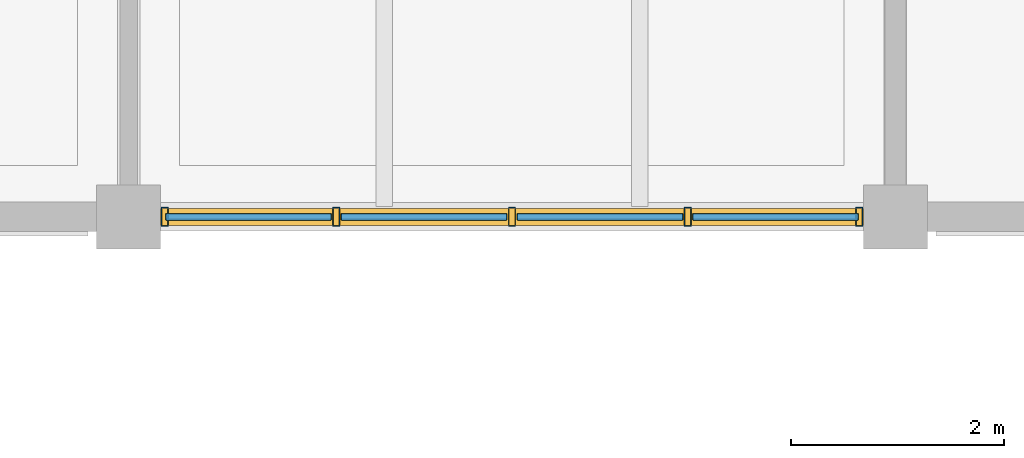
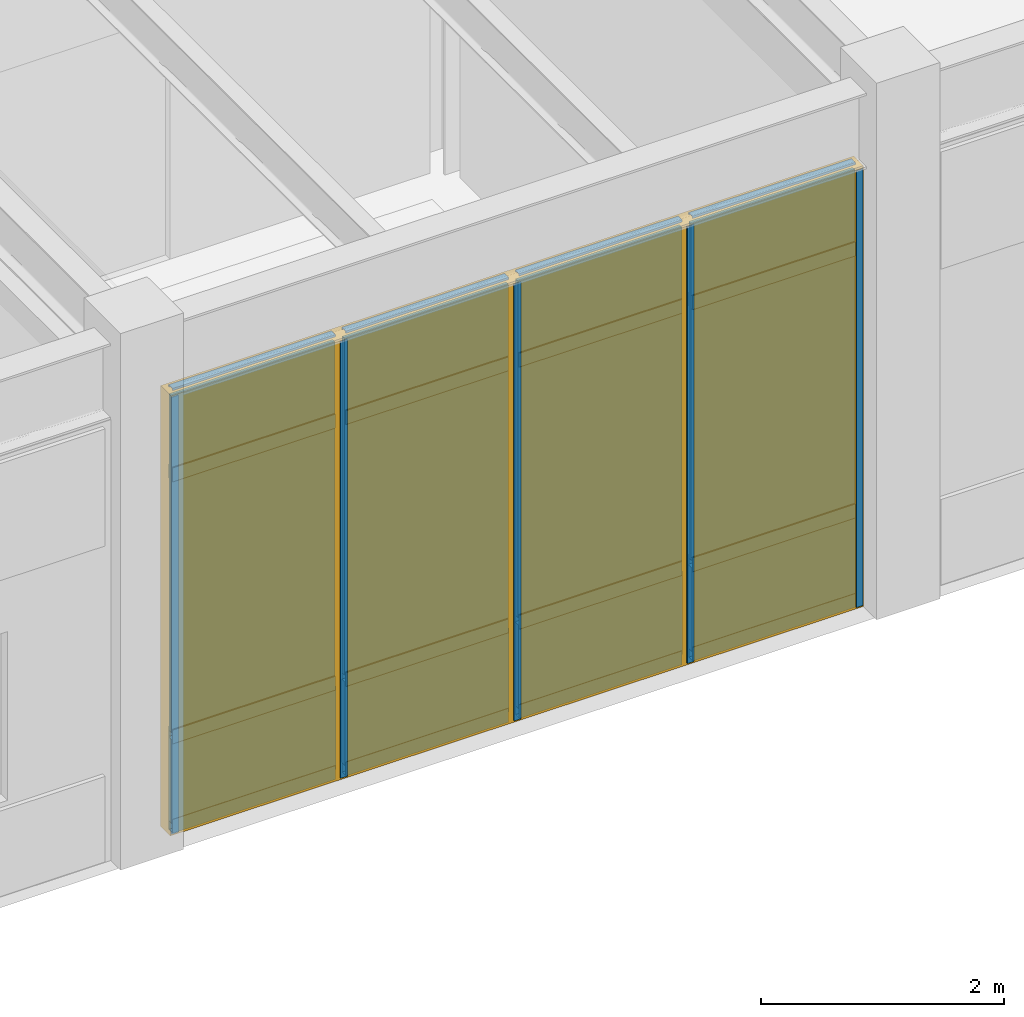
# One storey, part 70 of 97: 21 members, 8 plates, 1 curtain wall.
"""IFC4 building model written with IfcOpenShell, lengths in metres."""

import ifcopenshell
import ifcopenshell.guid

model = None  # the IFC model being written
_history = None  # IfcOwnerHistory: only IFC2X3 demands one
_inside = {}  # id of a spatial element -> (the spatial element, [elements in it])
_under = {}  # id of a project, library or spatial element -> (it, [spatial elements below it])
_declared = {}  # id of a project -> (the project, [libraries it declares])
_typed = {}  # id of a type object -> (the type object, [elements of that type])
_made_of = {}  # id of a material, layer set ... -> (it, [elements and type objects made of it])


def new_model(schema):
    """Start an empty IFC model of exactly this schema.

    Asked for "IFC4X3", IfcOpenShell would pick the latest addendum, in which some entities
    have other attributes; the version numbers below select the first issue.
    IFC2X3 requires an IfcOwnerHistory on every rooted entity: one is made here for all.
    """
    global model, _history
    if schema == "IFC4X3":
        model = ifcopenshell.file(schema_version=(4, 3, 0, 0))
    else:
        model = ifcopenshell.file(schema=schema)
    _inside.clear()
    _under.clear()
    _declared.clear()
    _typed.clear()
    _made_of.clear()
    _history = None
    if model.schema == "IFC2X3":
        org = make("IfcOrganization", Name="unknown")
        user = make(
            "IfcPersonAndOrganization",
            ThePerson=make("IfcPerson", FamilyName="unknown"),
            TheOrganization=org,
        )
        app = make(
            "IfcApplication",
            ApplicationDeveloper=org,
            Version="unknown",
            ApplicationFullName="unknown",
            ApplicationIdentifier="unknown",
        )
        _history = make(
            "IfcOwnerHistory",
            OwningUser=user,
            OwningApplication=app,
            ChangeAction="ADDED",
            CreationDate=0,
        )
    return model


def make(cls, **values):
    """One entity of the class cls with the attributes given. An attribute that is None is left unset."""
    return model.create_entity(
        cls, **{name: value for name, value in values.items() if value is not None}
    )


def rooted(cls, **values):
    """An entity with a GlobalId (a new one), such as an element, a storey or a relation."""
    return make(cls, GlobalId=ifcopenshell.guid.new(), OwnerHistory=_history, **values)


def si_unit(unit_type, name, prefix=None):
    """IfcSIUnit, for example si_unit("LENGTHUNIT", "METRE", prefix="MILLI")."""
    return make("IfcSIUnit", UnitType=unit_type, Prefix=prefix, Name=name)


def assignment(units):
    """IfcUnitAssignment: the units of a project."""
    return None if units is None else make("IfcUnitAssignment", Units=units)


def point(xyz):
    """IfcCartesianPoint."""
    return None if xyz is None else make("IfcCartesianPoint", Coordinates=xyz)


def direction(xyz):
    """IfcDirection."""
    return None if xyz is None else make("IfcDirection", DirectionRatios=xyz)


def frame(location, z_axis=None, x_axis=None):
    """IfcAxis2Placement3D, a coordinate frame: its origin and axes. An axis left out is left unset."""
    return make(
        "IfcAxis2Placement3D",
        Location=point(location),
        Axis=direction(z_axis),
        RefDirection=direction(x_axis),
    )


def frame_2d(location, x_axis=None):
    """IfcAxis2Placement2D, a coordinate frame in the plane: its origin and x axis."""
    return make(
        "IfcAxis2Placement2D", Location=point(location), RefDirection=direction(x_axis)
    )


def origin():
    """The frame at (0, 0, 0) with its axes left unset."""
    return frame((0.0, 0.0, 0.0))


def origin_2d():
    """The frame at (0, 0) in the plane with its x axis left unset."""
    return frame_2d((0.0, 0.0))


def place(relative_to, where):
    """IfcLocalPlacement: puts the frame where relative to a parent placement (None: the world)."""
    return make(
        "IfcLocalPlacement", PlacementRelTo=relative_to, RelativePlacement=where
    )


def context(
    kind, dimensions, precision=None, world=None, true_north=None, identifier=None
):
    """IfcGeometricRepresentationContext, for example the 3D "Model" context."""
    return make(
        "IfcGeometricRepresentationContext",
        ContextIdentifier=identifier,
        ContextType=kind,
        CoordinateSpaceDimension=dimensions,
        Precision=precision,
        WorldCoordinateSystem=world,
        TrueNorth=true_north,
    )


def subcontext(parent, identifier, kind, view, scale=None):
    """IfcGeometricRepresentationSubContext, for example "Body" below "Model"."""
    return make(
        "IfcGeometricRepresentationSubContext",
        ContextIdentifier=identifier,
        ContextType=kind,
        ParentContext=parent,
        TargetScale=scale,
        TargetView=view,
    )


def project(units=None, contexts=None):
    """IfcProject with its units and contexts."""
    return rooted(
        "IfcProject",
        Name="project",
        RepresentationContexts=contexts,
        UnitsInContext=assignment(units),
    )


def spatial(cls, under=None, at=None, **own):
    """A site, building, storey or space (cls), placed at a placement, below another one or the project."""
    s = rooted(cls, ObjectPlacement=at, **own)
    if under is not None:
        _under.setdefault(under.id(), (under, []))[1].append(s)
    return s


def profile(cls, at=None, kind="AREA", **sizes):
    """A parametric profile (cls). Its sizes go by their IFC names, for example OverallWidth=200.0."""
    return make(cls, ProfileType=kind, Position=at, **sizes)


def rectangle(**sizes):
    """IfcRectangleProfileDef."""
    return profile("IfcRectangleProfileDef", **sizes)


def hollow_rectangle(**sizes):
    """IfcRectangleHollowProfileDef."""
    return profile("IfcRectangleHollowProfileDef", **sizes)


def extrude(swept, where, along, depth):
    """IfcExtrudedAreaSolid: the profile swept, set in the frame where, extruded along a direction by depth."""
    return make(
        "IfcExtrudedAreaSolid",
        SweptArea=swept,
        Position=where,
        ExtrudedDirection=direction(along),
        Depth=depth,
    )


def shape(context_of_items, identifier, shape_type, items):
    """IfcShapeRepresentation: the items that make up one representation, for example the "Body"."""
    return make(
        "IfcShapeRepresentation",
        ContextOfItems=context_of_items,
        RepresentationIdentifier=identifier,
        RepresentationType=shape_type,
        Items=items,
    )


def material(Name=None, Category=None):
    """IfcMaterial."""
    return make("IfcMaterial", Name=Name, Category=Category)


def layer(
    of_material, thickness, ventilated=None, Name=None, Category=None, Priority=None
):
    """IfcMaterialLayer: one layer of a wall or slab, of a material (None: an air gap)."""
    return make(
        "IfcMaterialLayer",
        Material=of_material,
        LayerThickness=thickness,
        IsVentilated=ventilated,
        Name=Name,
        Category=Category,
        Priority=Priority,
    )


def layer_set(layers, Name=None):
    """IfcMaterialLayerSet."""
    return make("IfcMaterialLayerSet", MaterialLayers=layers, LayerSetName=Name)


def material_profile(
    of_material, cross_section, Name=None, Category=None, Priority=None
):
    """IfcMaterialProfile: a cross section and its material."""
    return make(
        "IfcMaterialProfile",
        Name=Name,
        Material=of_material,
        Profile=cross_section,
        Priority=Priority,
        Category=Category,
    )


def profile_set(profiles, Name=None, composite=None):
    """IfcMaterialProfileSet."""
    return make(
        "IfcMaterialProfileSet",
        Name=Name,
        MaterialProfiles=profiles,
        CompositeProfile=composite,
    )


def made_of(thing, what):
    """Note that an element or type object is made of a material, layer set ...; save() writes the relation."""
    if what is not None:
        _made_of.setdefault(what.id(), (what, []))[1].append(thing)
    return thing


def type_object(cls, material=None, **own):
    """A type object (cls), such as IfcWallType, which elements share."""
    return made_of(rooted(cls, **own), material)


def element(
    cls,
    number,
    at=None,
    inside=None,
    cuts=None,
    type_object=None,
    material=None,
    context=None,
    identifier="Body",
    shape_type=None,
    held_by="IfcProductDefinitionShape",
    body=None,
    shapes=None,
    **own,
):
    """One element of the class cls, such as IfcWall. Its Tag is "e" and its number.

    at: its placement. inside: the storey or other place that contains it. cuts: it is an
    opening in that element (IfcRelVoidsElement). A single representation is given by context,
    identifier, shape_type and body (its items); several are given by shapes. held_by: the class
    of the entity that holds the representations. save() writes the other relations.
    """
    e = rooted(cls, Tag="e%d" % number, ObjectPlacement=at, **own)
    if body is not None:
        shapes = [shape(context, identifier, shape_type, body)]
    if shapes is not None:
        e.Representation = make(held_by, Representations=shapes)
    if inside is not None:
        _inside.setdefault(inside.id(), (inside, []))[1].append(e)
    if cuts is not None:
        rooted(
            "IfcRelVoidsElement", RelatingBuildingElement=cuts, RelatedOpeningElement=e
        )
    if type_object is not None:
        _typed.setdefault(type_object.id(), (type_object, []))[1].append(e)
    return made_of(e, material)


def aggregate(whole, parts):
    """IfcRelAggregates: a whole, such as a stair, and the parts it consists of."""
    return rooted("IfcRelAggregates", RelatingObject=whole, RelatedObjects=parts)


def save(model, path):
    """Write the relations noted so far, then the file.

    IfcRelAggregates (storeys below a building ...), IfcRelContainedInSpatialStructure (elements
    in a storey), IfcRelDefinesByType, IfcRelAssociatesMaterial and IfcRelDeclares: one each for
    every whole, place, type object, material and project.
    """
    for whole, parts in _under.values():
        aggregate(whole, parts)
    for where, things in _inside.values():
        rooted(
            "IfcRelContainedInSpatialStructure",
            RelatedElements=things,
            RelatingStructure=where,
        )
    for kind, things in _typed.values():
        rooted("IfcRelDefinesByType", RelatedObjects=things, RelatingType=kind)
    for what, things in _made_of.values():
        rooted("IfcRelAssociatesMaterial", RelatedObjects=things, RelatingMaterial=what)
    for by, libraries in _declared.values():
        rooted("IfcRelDeclares", RelatingContext=by, RelatedDefinitions=libraries)
    model.write(path)


model = new_model("IFC4")

# Units and contexts
model_context = context("Model", 3, precision=1e-05, world=origin(), true_north=direction((0.0, 1.0)))
body_context = subcontext(model_context, "Body", "Model", "MODEL_VIEW")
ifc_project = project(units=[si_unit("LENGTHUNIT", "METRE"), si_unit("AREAUNIT", "SQUARE_METRE"), si_unit("VOLUMEUNIT", "CUBIC_METRE"), si_unit("PLANEANGLEUNIT", "RADIAN"), si_unit("MASSUNIT", "GRAM", prefix="KILO")], contexts=[model_context])

# Member
ifc_material_1 = material(Name="Anodized Aluminium 6063-T6", Category="aluminium")
ifc_material_profile_1 = material_profile(ifc_material_1, hollow_rectangle(XDim=0.06494140625, YDim=0.179931640625, WallThickness=0.00390625, at=origin_2d()), Name="ALU 65x180x4")
ifc_profile_set_1 = profile_set([ifc_material_profile_1], Name="Anodized Aluminium 6063-T6")
member_type_1 = type_object("IfcMemberType", Name="CWM-65X150", PredefinedType="MULLION", material=ifc_profile_set_1)
site_placement = place(None, origin())
building_placement = place(site_placement, origin())
storey_placement = place(building_placement, origin())
member_1_placement = place(storey_placement, frame((114.860107421875, 79.199951171875, 0.02001953125), z_axis=(0.0, 0.0, 1.0), x_axis=(1.0, 0.0, 0.0)))
member_1 = element("IfcMember", 1, at=member_1_placement, type_object=member_type_1, Name="Curtain wall mullion CW-L01-15-11-S-00", PredefinedType="MULLION", context=body_context, shape_type="SweptSolid", body=[
    extrude(hollow_rectangle(XDim=0.06494140625, YDim=0.179931640625, WallThickness=0.00390625, at=origin_2d()), origin(), (0.0, 0.0, 1.0), 4.39794921875),
])

member_2_placement = place(storey_placement, frame((113.25, 79.199951171875, 0.02001953125), z_axis=(0.0, 0.0, 1.0), x_axis=(1.0, 0.0, 0.0)))
member_2 = element("IfcMember", 2, at=member_2_placement, type_object=member_type_1, Name="Curtain wall mullion CW-L01-15-11-S-01", PredefinedType="MULLION", context=body_context, shape_type="SweptSolid", body=[
    extrude(hollow_rectangle(XDim=0.06494140625, YDim=0.179931640625, WallThickness=0.00390625, at=origin_2d()), origin(), (0.0, 0.0, 1.0), 4.39794921875),
])

member_3_placement = place(storey_placement, frame((111.60009765625, 79.199951171875, 0.02001953125), z_axis=(0.0, 0.0, 1.0), x_axis=(1.0, 0.0, 0.0)))
member_3 = element("IfcMember", 3, at=member_3_placement, type_object=member_type_1, Name="Curtain wall mullion CW-L01-15-11-S-02", PredefinedType="MULLION", context=body_context, shape_type="SweptSolid", body=[
    extrude(hollow_rectangle(XDim=0.06494140625, YDim=0.179931640625, WallThickness=0.00390625, at=origin_2d()), origin(), (0.0, 0.0, 1.0), 4.39794921875),
])

member_4_placement = place(storey_placement, frame((109.949951171875, 79.199951171875, 0.02001953125), z_axis=(0.0, 0.0, 1.0), x_axis=(1.0, 0.0, 0.0)))
member_4 = element("IfcMember", 4, at=member_4_placement, type_object=member_type_1, Name="Curtain wall mullion CW-L01-15-11-S-03", PredefinedType="MULLION", context=body_context, shape_type="SweptSolid", body=[
    extrude(hollow_rectangle(XDim=0.06494140625, YDim=0.179931640625, WallThickness=0.00390625, at=origin_2d()), origin(), (0.0, 0.0, 1.0), 4.39794921875),
])

member_5_placement = place(storey_placement, frame((108.340087890625, 79.199951171875, 0.02001953125), z_axis=(0.0, 0.0, 1.0), x_axis=(1.0, 0.0, 0.0)))
member_5 = element("IfcMember", 5, at=member_5_placement, type_object=member_type_1, Name="Curtain wall mullion CW-L01-15-11-S-04", PredefinedType="MULLION", context=body_context, shape_type="SweptSolid", body=[
    extrude(hollow_rectangle(XDim=0.06494140625, YDim=0.179931640625, WallThickness=0.00390625, at=origin_2d()), origin(), (0.0, 0.0, 1.0), 4.39794921875),
])

ifc_material_profile_2 = material_profile(ifc_material_1, hollow_rectangle(XDim=0.06494140625, YDim=0.139892578125, WallThickness=0.00390625, at=origin_2d()), Name="ALU 65x140x4")
ifc_profile_set_2 = profile_set([ifc_material_profile_2], Name="Anodized Aluminium 6063-T6")
member_type_2 = type_object("IfcMemberType", Name="CWT-65X120", PredefinedType="USERDEFINED", material=ifc_profile_set_2)
member_6_placement = place(storey_placement, frame((114.85009765625, 79.199951171875, 0.050048828125), z_axis=(-1.0, 0.0, 0.0), x_axis=(0.0, -1.0, 0.0)))
member_6 = element("IfcMember", 6, at=member_6_placement, type_object=member_type_2, Name="Curtain wall transom CW-L01-15-11-S-1.01", ObjectType="TRANSOM", PredefinedType="USERDEFINED", context=body_context, shape_type="SweptSolid", body=[
    extrude(hollow_rectangle(XDim=0.06494140625, YDim=0.139892578125, WallThickness=0.00390625, at=origin_2d()), origin(), (0.0, 0.0, 1.0), 1.550048828125),
])

member_7_placement = place(storey_placement, frame((113.199951171875, 79.199951171875, 0.050048828125), z_axis=(-1.0, 0.0, 0.0), x_axis=(0.0, -1.0, 0.0)))
member_7 = element("IfcMember", 7, at=member_7_placement, type_object=member_type_2, Name="Curtain wall transom CW-L01-15-11-S-1.02", ObjectType="TRANSOM", PredefinedType="USERDEFINED", context=body_context, shape_type="SweptSolid", body=[
    extrude(hollow_rectangle(XDim=0.06494140625, YDim=0.139892578125, WallThickness=0.00390625, at=origin_2d()), origin(), (0.0, 0.0, 1.0), 1.550048828125),
])

member_8_placement = place(storey_placement, frame((111.550048828125, 79.199951171875, 0.050048828125), z_axis=(-1.0, 0.0, 0.0), x_axis=(0.0, -1.0, 0.0)))
member_8 = element("IfcMember", 8, at=member_8_placement, type_object=member_type_2, Name="Curtain wall transom CW-L01-15-11-S-1.03", ObjectType="TRANSOM", PredefinedType="USERDEFINED", context=body_context, shape_type="SweptSolid", body=[
    extrude(hollow_rectangle(XDim=0.06494140625, YDim=0.139892578125, WallThickness=0.00390625, at=origin_2d()), origin(), (0.0, 0.0, 1.0), 1.550048828125),
])

member_9_placement = place(storey_placement, frame((109.89990234375, 79.199951171875, 0.050048828125), z_axis=(-1.0, 0.0, 0.0), x_axis=(0.0, -1.0, 0.0)))
member_9 = element("IfcMember", 9, at=member_9_placement, type_object=member_type_2, Name="Curtain wall transom CW-L01-15-11-S-1.04", ObjectType="TRANSOM", PredefinedType="USERDEFINED", context=body_context, shape_type="SweptSolid", body=[
    extrude(hollow_rectangle(XDim=0.06494140625, YDim=0.139892578125, WallThickness=0.00390625, at=origin_2d()), origin(), (0.0, 0.0, 1.0), 1.5498046875),
])

member_10_placement = place(storey_placement, frame((114.85009765625, 79.199951171875, 0.949951171875), z_axis=(-1.0, 0.0, 0.0), x_axis=(0.0, -1.0, 0.0)))
member_10 = element("IfcMember", 10, at=member_10_placement, type_object=member_type_2, Name="Curtain wall transom CW-L01-15-11-S-2.01", ObjectType="TRANSOM", PredefinedType="USERDEFINED", context=body_context, shape_type="SweptSolid", body=[
    extrude(hollow_rectangle(XDim=0.06494140625, YDim=0.139892578125, WallThickness=0.00390625, at=origin_2d()), origin(), (0.0, 0.0, 1.0), 1.550048828125),
])

member_11_placement = place(storey_placement, frame((113.199951171875, 79.199951171875, 0.949951171875), z_axis=(-1.0, 0.0, 0.0), x_axis=(0.0, -1.0, 0.0)))
member_11 = element("IfcMember", 11, at=member_11_placement, type_object=member_type_2, Name="Curtain wall transom CW-L01-15-11-S-2.02", ObjectType="TRANSOM", PredefinedType="USERDEFINED", context=body_context, shape_type="SweptSolid", body=[
    extrude(hollow_rectangle(XDim=0.06494140625, YDim=0.139892578125, WallThickness=0.00390625, at=origin_2d()), origin(), (0.0, 0.0, 1.0), 1.550048828125),
])

member_12_placement = place(storey_placement, frame((111.550048828125, 79.199951171875, 0.949951171875), z_axis=(-1.0, 0.0, 0.0), x_axis=(0.0, -1.0, 0.0)))
member_12 = element("IfcMember", 12, at=member_12_placement, type_object=member_type_2, Name="Curtain wall transom CW-L01-15-11-S-2.03", ObjectType="TRANSOM", PredefinedType="USERDEFINED", context=body_context, shape_type="SweptSolid", body=[
    extrude(hollow_rectangle(XDim=0.06494140625, YDim=0.139892578125, WallThickness=0.00390625, at=origin_2d()), origin(), (0.0, 0.0, 1.0), 1.550048828125),
])

member_13_placement = place(storey_placement, frame((109.89990234375, 79.199951171875, 0.949951171875), z_axis=(-1.0, 0.0, 0.0), x_axis=(0.0, -1.0, 0.0)))
member_13 = element("IfcMember", 13, at=member_13_placement, type_object=member_type_2, Name="Curtain wall transom CW-L01-15-11-S-2.04", ObjectType="TRANSOM", PredefinedType="USERDEFINED", context=body_context, shape_type="SweptSolid", body=[
    extrude(hollow_rectangle(XDim=0.06494140625, YDim=0.139892578125, WallThickness=0.00390625, at=origin_2d()), origin(), (0.0, 0.0, 1.0), 1.5498046875),
])

member_14_placement = place(storey_placement, frame((114.85009765625, 79.199951171875, 3.587890625), z_axis=(-1.0, 0.0, 0.0), x_axis=(0.0, -1.0, 0.0)))
member_14 = element("IfcMember", 14, at=member_14_placement, type_object=member_type_2, Name="Curtain wall transom CW-L01-15-11-S-3.01", ObjectType="TRANSOM", PredefinedType="USERDEFINED", context=body_context, shape_type="SweptSolid", body=[
    extrude(hollow_rectangle(XDim=0.06494140625, YDim=0.139892578125, WallThickness=0.00390625, at=origin_2d()), origin(), (0.0, 0.0, 1.0), 1.550048828125),
])

member_15_placement = place(storey_placement, frame((113.199951171875, 79.199951171875, 3.587890625), z_axis=(-1.0, 0.0, 0.0), x_axis=(0.0, -1.0, 0.0)))
member_15 = element("IfcMember", 15, at=member_15_placement, type_object=member_type_2, Name="Curtain wall transom CW-L01-15-11-S-3.02", ObjectType="TRANSOM", PredefinedType="USERDEFINED", context=body_context, shape_type="SweptSolid", body=[
    extrude(hollow_rectangle(XDim=0.06494140625, YDim=0.139892578125, WallThickness=0.00390625, at=origin_2d()), origin(), (0.0, 0.0, 1.0), 1.550048828125),
])

member_16_placement = place(storey_placement, frame((111.550048828125, 79.199951171875, 3.587890625), z_axis=(-1.0, 0.0, 0.0), x_axis=(0.0, -1.0, 0.0)))
member_16 = element("IfcMember", 16, at=member_16_placement, type_object=member_type_2, Name="Curtain wall transom CW-L01-15-11-S-3.03", ObjectType="TRANSOM", PredefinedType="USERDEFINED", context=body_context, shape_type="SweptSolid", body=[
    extrude(hollow_rectangle(XDim=0.06494140625, YDim=0.139892578125, WallThickness=0.00390625, at=origin_2d()), origin(), (0.0, 0.0, 1.0), 1.550048828125),
])

member_17_placement = place(storey_placement, frame((109.89990234375, 79.199951171875, 3.587890625), z_axis=(-1.0, 0.0, 0.0), x_axis=(0.0, -1.0, 0.0)))
member_17 = element("IfcMember", 17, at=member_17_placement, type_object=member_type_2, Name="Curtain wall transom CW-L01-15-11-S-3.04", ObjectType="TRANSOM", PredefinedType="USERDEFINED", context=body_context, shape_type="SweptSolid", body=[
    extrude(hollow_rectangle(XDim=0.06494140625, YDim=0.139892578125, WallThickness=0.00390625, at=origin_2d()), origin(), (0.0, 0.0, 1.0), 1.5498046875),
])

member_18_placement = place(storey_placement, frame((114.85009765625, 79.199951171875, 4.387939453125), z_axis=(-1.0, 0.0, 0.0), x_axis=(0.0, -1.0, 0.0)))
member_18 = element("IfcMember", 18, at=member_18_placement, type_object=member_type_2, Name="Curtain wall transom CW-L01-15-11-S-4.01", ObjectType="TRANSOM", PredefinedType="USERDEFINED", context=body_context, shape_type="SweptSolid", body=[
    extrude(hollow_rectangle(XDim=0.06494140625, YDim=0.139892578125, WallThickness=0.00390625, at=origin_2d()), origin(), (0.0, 0.0, 1.0), 1.550048828125),
])

member_19_placement = place(storey_placement, frame((113.199951171875, 79.199951171875, 4.387939453125), z_axis=(-1.0, 0.0, 0.0), x_axis=(0.0, -1.0, 0.0)))
member_19 = element("IfcMember", 19, at=member_19_placement, type_object=member_type_2, Name="Curtain wall transom CW-L01-15-11-S-4.02", ObjectType="TRANSOM", PredefinedType="USERDEFINED", context=body_context, shape_type="SweptSolid", body=[
    extrude(hollow_rectangle(XDim=0.06494140625, YDim=0.139892578125, WallThickness=0.00390625, at=origin_2d()), origin(), (0.0, 0.0, 1.0), 1.550048828125),
])

member_20_placement = place(storey_placement, frame((111.550048828125, 79.199951171875, 4.387939453125), z_axis=(-1.0, 0.0, 0.0), x_axis=(0.0, -1.0, 0.0)))
member_20 = element("IfcMember", 20, at=member_20_placement, type_object=member_type_2, Name="Curtain wall transom CW-L01-15-11-S-4.03", ObjectType="TRANSOM", PredefinedType="USERDEFINED", context=body_context, shape_type="SweptSolid", body=[
    extrude(hollow_rectangle(XDim=0.06494140625, YDim=0.139892578125, WallThickness=0.00390625, at=origin_2d()), origin(), (0.0, 0.0, 1.0), 1.550048828125),
])

member_21_placement = place(storey_placement, frame((109.89990234375, 79.199951171875, 4.387939453125), z_axis=(-1.0, 0.0, 0.0), x_axis=(0.0, -1.0, 0.0)))
member_21 = element("IfcMember", 21, at=member_21_placement, type_object=member_type_2, Name="Curtain wall transom CW-L01-15-11-S-4.04", ObjectType="TRANSOM", PredefinedType="USERDEFINED", context=body_context, shape_type="SweptSolid", body=[
    extrude(hollow_rectangle(XDim=0.06494140625, YDim=0.139892578125, WallThickness=0.00390625, at=origin_2d()), origin(), (0.0, 0.0, 1.0), 1.5498046875),
])

# Plate
ifc_material_2 = material(Name="Double Low-E Insulated Glazing Unit", Category="glass")
ifc_layer_1 = layer(ifc_material_2, 0.0380859375)
ifc_layer_set_1 = layer_set([ifc_layer_1], Name="Double Low-E Insulated Glazing Unit")
plate_type_1 = type_object("IfcPlateType", Name="CWP-IGU-38", PredefinedType="CURTAIN_PANEL", material=ifc_layer_set_1)
plate_1_placement = place(storey_placement, frame((114.074951171875, 79.199951171875, 0.990234375), z_axis=(0.0, 0.0, 1.0), x_axis=(-1.0, 0.0, 0.0)))
plate_1 = element("IfcPlate", 22, at=plate_1_placement, type_object=plate_type_1, Name="Curtain wall vision glazing CW-L01-15-11-S-01", PredefinedType="CURTAIN_PANEL", context=body_context, shape_type="SweptSolid", body=[
    extrude(rectangle(XDim=1.56005859375, YDim=0.0400390625, at=origin_2d()), origin(), (0.0, 0.0, 1.0), 3.387939453125),
])

plate_2_placement = place(storey_placement, frame((112.425048828125, 79.199951171875, 0.990234375), z_axis=(0.0, 0.0, 1.0), x_axis=(-1.0, 0.0, 0.0)))
plate_2 = element("IfcPlate", 23, at=plate_2_placement, type_object=plate_type_1, Name="Curtain wall vision glazing CW-L01-15-11-S-02", PredefinedType="CURTAIN_PANEL", context=body_context, shape_type="SweptSolid", body=[
    extrude(rectangle(XDim=1.56005859375, YDim=0.0400390625, at=origin_2d()), origin(), (0.0, 0.0, 1.0), 3.387939453125),
])

plate_3_placement = place(storey_placement, frame((110.77490234375, 79.199951171875, 0.990234375), z_axis=(0.0, 0.0, 1.0), x_axis=(-1.0, 0.0, 0.0)))
plate_3 = element("IfcPlate", 24, at=plate_3_placement, type_object=plate_type_1, Name="Curtain wall vision glazing CW-L01-15-11-S-03", PredefinedType="CURTAIN_PANEL", context=body_context, shape_type="SweptSolid", body=[
    extrude(rectangle(XDim=1.56005859375, YDim=0.0400390625, at=origin_2d()), origin(), (0.0, 0.0, 1.0), 3.387939453125),
])

plate_4_placement = place(storey_placement, frame((109.125, 79.199951171875, 0.990234375), z_axis=(0.0, 0.0, 1.0), x_axis=(-1.0, 0.0, 0.0)))
plate_4 = element("IfcPlate", 25, at=plate_4_placement, type_object=plate_type_1, Name="Curtain wall vision glazing CW-L01-15-11-S-04", PredefinedType="CURTAIN_PANEL", context=body_context, shape_type="SweptSolid", body=[
    extrude(rectangle(XDim=1.56005859375, YDim=0.0400390625, at=origin_2d()), origin(), (0.0, 0.0, 1.0), 3.387939453125),
])

ifc_material_3 = material(Name="Insulated Bronze Aluminium Spandrel", Category="aluminium")
ifc_layer_2 = layer(ifc_material_3, 0.06005859375)
ifc_layer_set_2 = layer_set([ifc_layer_2], Name="Insulated Bronze Aluminium Spandrel")
plate_type_2 = type_object("IfcPlateType", Name="CWP-SPN-60", PredefinedType="CURTAIN_PANEL", material=ifc_layer_set_2)
plate_5_placement = place(storey_placement, frame((114.074951171875, 79.199951171875, 0.080078125), z_axis=(0.0, 0.0, 1.0), x_axis=(-1.0, 0.0, 0.0)))
plate_5 = element("IfcPlate", 26, at=plate_5_placement, type_object=plate_type_2, Name="Curtain wall spandrel panel CW-L01-15-11-S-01", PredefinedType="CURTAIN_PANEL", context=body_context, shape_type="SweptSolid", body=[
    extrude(rectangle(XDim=1.56005859375, YDim=0.06005859375, at=origin_2d()), origin(), (0.0, 0.0, 1.0), 0.840087890625),
])

plate_6_placement = place(storey_placement, frame((112.425048828125, 79.199951171875, 0.080078125), z_axis=(0.0, 0.0, 1.0), x_axis=(-1.0, 0.0, 0.0)))
plate_6 = element("IfcPlate", 27, at=plate_6_placement, type_object=plate_type_2, Name="Curtain wall spandrel panel CW-L01-15-11-S-02", PredefinedType="CURTAIN_PANEL", context=body_context, shape_type="SweptSolid", body=[
    extrude(rectangle(XDim=1.56005859375, YDim=0.06005859375, at=origin_2d()), origin(), (0.0, 0.0, 1.0), 0.840087890625),
])

plate_7_placement = place(storey_placement, frame((110.77490234375, 79.199951171875, 0.080078125), z_axis=(0.0, 0.0, 1.0), x_axis=(-1.0, 0.0, 0.0)))
plate_7 = element("IfcPlate", 28, at=plate_7_placement, type_object=plate_type_2, Name="Curtain wall spandrel panel CW-L01-15-11-S-03", PredefinedType="CURTAIN_PANEL", context=body_context, shape_type="SweptSolid", body=[
    extrude(rectangle(XDim=1.56005859375, YDim=0.06005859375, at=origin_2d()), origin(), (0.0, 0.0, 1.0), 0.840087890625),
])

plate_8_placement = place(storey_placement, frame((109.125, 79.199951171875, 0.080078125), z_axis=(0.0, 0.0, 1.0), x_axis=(-1.0, 0.0, 0.0)))
plate_8 = element("IfcPlate", 29, at=plate_8_placement, type_object=plate_type_2, Name="Curtain wall spandrel panel CW-L01-15-11-S-04", PredefinedType="CURTAIN_PANEL", context=body_context, shape_type="SweptSolid", body=[
    extrude(rectangle(XDim=1.56005859375, YDim=0.06005859375, at=origin_2d()), origin(), (0.0, 0.0, 1.0), 0.840087890625),
])

# Site, building, storey
site = spatial("IfcSite", under=ifc_project, at=site_placement, CompositionType="ELEMENT")
building = spatial("IfcBuilding", under=site, at=building_placement, Name="Sillqori Civic Hall", CompositionType="ELEMENT")
storey = spatial("IfcBuildingStorey", under=building, at=storey_placement, Name="L01", CompositionType="ELEMENT", Elevation=0.0)

# Curtain wall
ifc_material_4 = material(Name="Anodized Aluminium Curtain Wall System", Category="aluminium")
curtain_wall_type = type_object("IfcCurtainWallType", Name="CW-SF-540", PredefinedType="NOTDEFINED", material=ifc_material_4)
curtain_wall_placement = place(storey_placement, frame((111.60009765625, 79.199951171875, 0.0), z_axis=(0.0, 0.0, 1.0), x_axis=(-1.0, 0.0, 0.0)))
curtain_wall = element("IfcCurtainWall", 30, at=curtain_wall_placement, inside=storey, type_object=curtain_wall_type, Name="L01 unitised curtain wall CW-L01-15-11-S", PredefinedType="NOTDEFINED", context=body_context, shape_type="SweptSolid", body=[
    extrude(rectangle(XDim=6.60009765625, YDim=0.159912109375, at=origin_2d()), origin(), (0.0, 0.0, 1.0), 4.43798828125),
])

aggregate(curtain_wall, [member_1, member_2, member_3, member_4, member_5, member_6, member_7, member_8, member_9, member_10, member_11, member_12, member_13, member_14, member_15, member_16, member_17, member_18, member_19, member_20, member_21, plate_5, plate_1, plate_6, plate_2, plate_7, plate_3, plate_8, plate_4])

save(model, "model.ifc")
